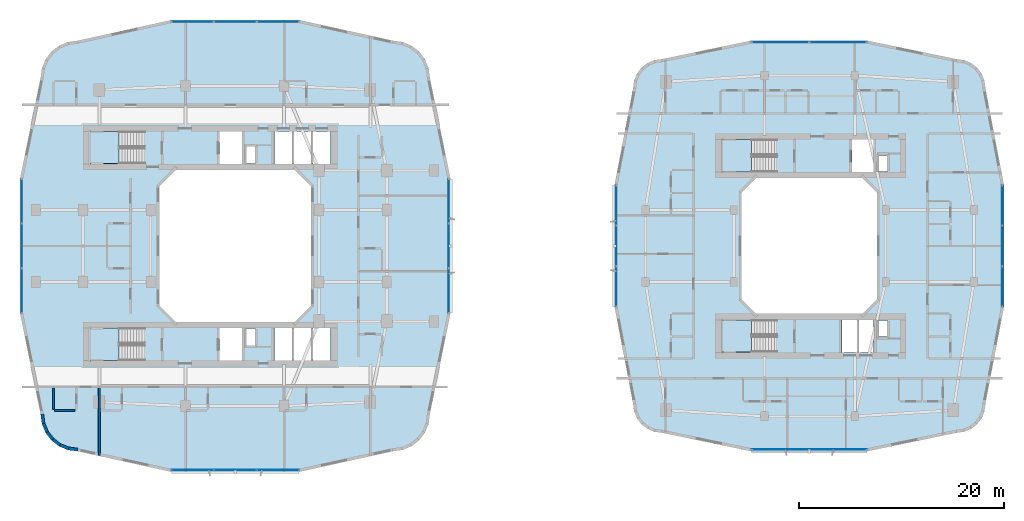
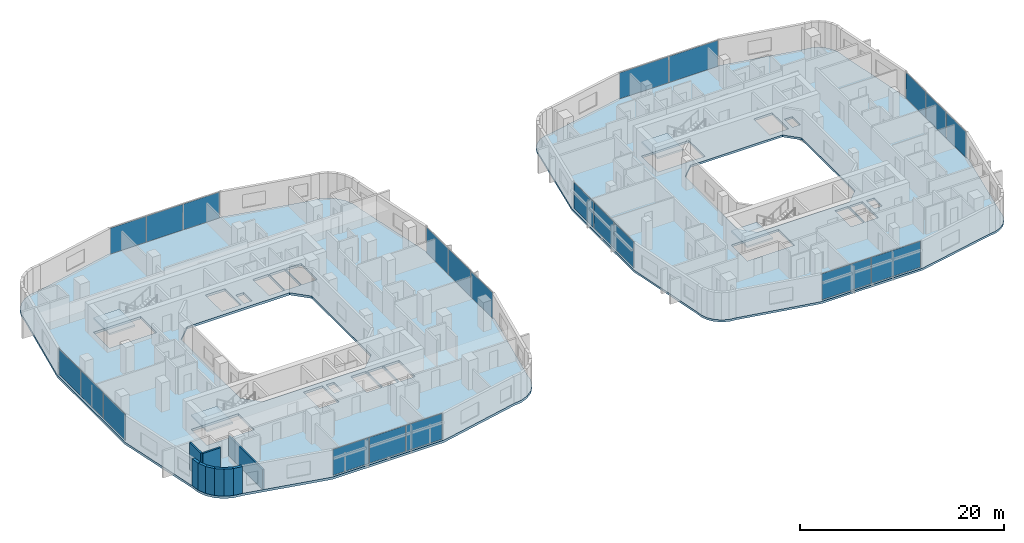
# One storey, part 12 of 27: 22 plates, 9 walls, 6 slabs, 12 elements without a shape of their own.
"""IFC4 building model written with IfcOpenShell, lengths in metres."""

import ifcopenshell
import ifcopenshell.guid

model = None  # the IFC model being written
_history = None  # IfcOwnerHistory: only IFC2X3 demands one
_inside = {}  # id of a spatial element -> (the spatial element, [elements in it])
_under = {}  # id of a project, library or spatial element -> (it, [spatial elements below it])
_declared = {}  # id of a project -> (the project, [libraries it declares])
_typed = {}  # id of a type object -> (the type object, [elements of that type])
_made_of = {}  # id of a material, layer set ... -> (it, [elements and type objects made of it])


def new_model(schema):
    """Start an empty IFC model of exactly this schema.

    Asked for "IFC4X3", IfcOpenShell would pick the latest addendum, in which some entities
    have other attributes; the version numbers below select the first issue.
    IFC2X3 requires an IfcOwnerHistory on every rooted entity: one is made here for all.
    """
    global model, _history
    if schema == "IFC4X3":
        model = ifcopenshell.file(schema_version=(4, 3, 0, 0))
    else:
        model = ifcopenshell.file(schema=schema)
    _inside.clear()
    _under.clear()
    _declared.clear()
    _typed.clear()
    _made_of.clear()
    _history = None
    if model.schema == "IFC2X3":
        org = make("IfcOrganization", Name="unknown")
        user = make(
            "IfcPersonAndOrganization",
            ThePerson=make("IfcPerson", FamilyName="unknown"),
            TheOrganization=org,
        )
        app = make(
            "IfcApplication",
            ApplicationDeveloper=org,
            Version="unknown",
            ApplicationFullName="unknown",
            ApplicationIdentifier="unknown",
        )
        _history = make(
            "IfcOwnerHistory",
            OwningUser=user,
            OwningApplication=app,
            ChangeAction="ADDED",
            CreationDate=0,
        )
    return model


def make(cls, **values):
    """One entity of the class cls with the attributes given. An attribute that is None is left unset."""
    return model.create_entity(
        cls, **{name: value for name, value in values.items() if value is not None}
    )


def rooted(cls, **values):
    """An entity with a GlobalId (a new one), such as an element, a storey or a relation."""
    return make(cls, GlobalId=ifcopenshell.guid.new(), OwnerHistory=_history, **values)


def si_unit(unit_type, name, prefix=None):
    """IfcSIUnit, for example si_unit("LENGTHUNIT", "METRE", prefix="MILLI")."""
    return make("IfcSIUnit", UnitType=unit_type, Prefix=prefix, Name=name)


def derived_unit(unit_type, elements):
    """IfcDerivedUnit: a product of units, each with its exponent."""
    return make(
        "IfcDerivedUnit",
        Elements=[
            make("IfcDerivedUnitElement", Unit=unit, Exponent=power)
            for unit, power in elements
        ],
        UnitType=unit_type,
    )


def assignment(units):
    """IfcUnitAssignment: the units of a project."""
    return None if units is None else make("IfcUnitAssignment", Units=units)


def point(xyz):
    """IfcCartesianPoint."""
    return None if xyz is None else make("IfcCartesianPoint", Coordinates=xyz)


def direction(xyz):
    """IfcDirection."""
    return None if xyz is None else make("IfcDirection", DirectionRatios=xyz)


def frame(location, z_axis=None, x_axis=None):
    """IfcAxis2Placement3D, a coordinate frame: its origin and axes. An axis left out is left unset."""
    return make(
        "IfcAxis2Placement3D",
        Location=point(location),
        Axis=direction(z_axis),
        RefDirection=direction(x_axis),
    )


def frame_2d(location, x_axis=None):
    """IfcAxis2Placement2D, a coordinate frame in the plane: its origin and x axis."""
    return make(
        "IfcAxis2Placement2D", Location=point(location), RefDirection=direction(x_axis)
    )


def origin():
    """The frame at (0, 0, 0) with its axes left unset."""
    return frame((0.0, 0.0, 0.0))


def origin_2d():
    """The frame at (0, 0) in the plane with its x axis left unset."""
    return frame_2d((0.0, 0.0))


def place(relative_to, where):
    """IfcLocalPlacement: puts the frame where relative to a parent placement (None: the world)."""
    return make(
        "IfcLocalPlacement", PlacementRelTo=relative_to, RelativePlacement=where
    )


def context(
    kind, dimensions, precision=None, world=None, true_north=None, identifier=None
):
    """IfcGeometricRepresentationContext, for example the 3D "Model" context."""
    return make(
        "IfcGeometricRepresentationContext",
        ContextIdentifier=identifier,
        ContextType=kind,
        CoordinateSpaceDimension=dimensions,
        Precision=precision,
        WorldCoordinateSystem=world,
        TrueNorth=true_north,
    )


def subcontext(parent, identifier, kind, view, scale=None):
    """IfcGeometricRepresentationSubContext, for example "Body" below "Model"."""
    return make(
        "IfcGeometricRepresentationSubContext",
        ContextIdentifier=identifier,
        ContextType=kind,
        ParentContext=parent,
        TargetScale=scale,
        TargetView=view,
    )


def project(units=None, contexts=None):
    """IfcProject with its units and contexts."""
    return rooted(
        "IfcProject",
        Name="project",
        RepresentationContexts=contexts,
        UnitsInContext=assignment(units),
    )


def spatial(cls, under=None, at=None, **own):
    """A site, building, storey or space (cls), placed at a placement, below another one or the project."""
    s = rooted(cls, ObjectPlacement=at, **own)
    if under is not None:
        _under.setdefault(under.id(), (under, []))[1].append(s)
    return s


def polyline(points):
    """IfcPolyline through the points."""
    return make("IfcPolyline", Points=[point(p) for p in points])


def profile(cls, at=None, kind="AREA", **sizes):
    """A parametric profile (cls). Its sizes go by their IFC names, for example OverallWidth=200.0."""
    return make(cls, ProfileType=kind, Position=at, **sizes)


def rectangle(**sizes):
    """IfcRectangleProfileDef."""
    return profile("IfcRectangleProfileDef", **sizes)


def outline(outer, holes=None, kind="AREA"):
    """IfcArbitraryClosedProfileDef: a profile drawn as a closed curve; with holes, ...WithVoids."""
    if holes is None:
        return make("IfcArbitraryClosedProfileDef", ProfileType=kind, OuterCurve=outer)
    return make(
        "IfcArbitraryProfileDefWithVoids",
        ProfileType=kind,
        OuterCurve=outer,
        InnerCurves=holes,
    )


def extrude(swept, where, along, depth):
    """IfcExtrudedAreaSolid: the profile swept, set in the frame where, extruded along a direction by depth."""
    return make(
        "IfcExtrudedAreaSolid",
        SweptArea=swept,
        Position=where,
        ExtrudedDirection=direction(along),
        Depth=depth,
    )


def shape(context_of_items, identifier, shape_type, items):
    """IfcShapeRepresentation: the items that make up one representation, for example the "Body"."""
    return make(
        "IfcShapeRepresentation",
        ContextOfItems=context_of_items,
        RepresentationIdentifier=identifier,
        RepresentationType=shape_type,
        Items=items,
    )


def material(Name=None, Category=None):
    """IfcMaterial."""
    return make("IfcMaterial", Name=Name, Category=Category)


def layer(
    of_material, thickness, ventilated=None, Name=None, Category=None, Priority=None
):
    """IfcMaterialLayer: one layer of a wall or slab, of a material (None: an air gap)."""
    return make(
        "IfcMaterialLayer",
        Material=of_material,
        LayerThickness=thickness,
        IsVentilated=ventilated,
        Name=Name,
        Category=Category,
        Priority=Priority,
    )


def layer_set(layers, Name=None):
    """IfcMaterialLayerSet."""
    return make("IfcMaterialLayerSet", MaterialLayers=layers, LayerSetName=Name)


def made_of(thing, what):
    """Note that an element or type object is made of a material, layer set ...; save() writes the relation."""
    if what is not None:
        _made_of.setdefault(what.id(), (what, []))[1].append(thing)
    return thing


def type_object(cls, material=None, **own):
    """A type object (cls), such as IfcWallType, which elements share."""
    return made_of(rooted(cls, **own), material)


def element(
    cls,
    number,
    at=None,
    inside=None,
    cuts=None,
    type_object=None,
    material=None,
    context=None,
    identifier="Body",
    shape_type=None,
    held_by="IfcProductDefinitionShape",
    body=None,
    shapes=None,
    **own,
):
    """One element of the class cls, such as IfcWall. Its Tag is "e" and its number.

    at: its placement. inside: the storey or other place that contains it. cuts: it is an
    opening in that element (IfcRelVoidsElement). A single representation is given by context,
    identifier, shape_type and body (its items); several are given by shapes. held_by: the class
    of the entity that holds the representations. save() writes the other relations.
    """
    e = rooted(cls, Tag="e%d" % number, ObjectPlacement=at, **own)
    if body is not None:
        shapes = [shape(context, identifier, shape_type, body)]
    if shapes is not None:
        e.Representation = make(held_by, Representations=shapes)
    if inside is not None:
        _inside.setdefault(inside.id(), (inside, []))[1].append(e)
    if cuts is not None:
        rooted(
            "IfcRelVoidsElement", RelatingBuildingElement=cuts, RelatedOpeningElement=e
        )
    if type_object is not None:
        _typed.setdefault(type_object.id(), (type_object, []))[1].append(e)
    return made_of(e, material)


def aggregate(whole, parts):
    """IfcRelAggregates: a whole, such as a stair, and the parts it consists of."""
    return rooted("IfcRelAggregates", RelatingObject=whole, RelatedObjects=parts)


def save(model, path):
    """Write the relations noted so far, then the file.

    IfcRelAggregates (storeys below a building ...), IfcRelContainedInSpatialStructure (elements
    in a storey), IfcRelDefinesByType, IfcRelAssociatesMaterial and IfcRelDeclares: one each for
    every whole, place, type object, material and project.
    """
    for whole, parts in _under.values():
        aggregate(whole, parts)
    for where, things in _inside.values():
        rooted(
            "IfcRelContainedInSpatialStructure",
            RelatedElements=things,
            RelatingStructure=where,
        )
    for kind, things in _typed.values():
        rooted("IfcRelDefinesByType", RelatedObjects=things, RelatingType=kind)
    for what, things in _made_of.values():
        rooted("IfcRelAssociatesMaterial", RelatedObjects=things, RelatingMaterial=what)
    for by, libraries in _declared.values():
        rooted("IfcRelDeclares", RelatingContext=by, RelatedDefinitions=libraries)
    model.write(path)


model = new_model("IFC4")

# Units and contexts
model_context = context("Model", 3, precision=1e-05, world=origin(), true_north=direction((0.0, 1.0)))
body_context = subcontext(model_context, "Body", "Model", "MODEL_VIEW")
ifc_project = project(units=[si_unit("LENGTHUNIT", "METRE"), si_unit("AREAUNIT", "SQUARE_METRE"), si_unit("VOLUMEUNIT", "CUBIC_METRE"), si_unit("PLANEANGLEUNIT", "RADIAN"), si_unit("MASSUNIT", "GRAM", prefix="KILO"), derived_unit("THERMALTRANSMITTANCEUNIT", [(si_unit("POWERUNIT", "WATT"), 1), (si_unit("LENGTHUNIT", "METRE"), -2), (si_unit("THERMODYNAMICTEMPERATUREUNIT", "KELVIN"), -1)])], contexts=[model_context])

# Site, building, storey
site_placement = place(None, origin())
site = spatial("IfcSite", under=ifc_project, at=site_placement, CompositionType="ELEMENT")
building_placement = place(site_placement, origin())
building = spatial("IfcBuilding", under=site, at=building_placement, Name="Kivonza Crest Hotel", CompositionType="ELEMENT")
storey_placement = place(building_placement, frame((0.0, 0.0, 34.5)))
storey = spatial("IfcBuildingStorey", under=building, at=storey_placement, Name="L08", CompositionType="ELEMENT", Elevation=34.5)

# Curtain wall, plates
ifc_material_1 = material(Name="Anodised bronze aluminium and low-E double glazing", Category="aluminium")
ifc_layer_1 = layer(ifc_material_1, 0.179931640625)
ifc_layer_set_1 = layer_set([ifc_layer_1], Name="Anodised bronze aluminium and low-E double glazing")
curtain_wall_type_1 = type_object("IfcCurtainWallType", Name="CW-SYS-2", PredefinedType="NOTDEFINED", material=ifc_layer_set_1)
curtain_wall_1_placement = place(storey_placement, origin())
curtain_wall_1 = element("IfcCurtainWall", 1, at=curtain_wall_1_placement, inside=storey, type_object=curtain_wall_type_1, Name="L08 unitised curtain wall CW-T1-L08-08", PredefinedType="NOTDEFINED")
ifc_material_2 = material(Name="Solar-control low-E double glazing", Category="glass")
ifc_layer_2 = layer(ifc_material_2, 0.028076171875)
ifc_layer_set_2 = layer_set([ifc_layer_2], Name="Solar-control low-E double glazing")
plate_type = type_object("IfcPlateType", Name="CW-PNL-28", PredefinedType="CURTAIN_PANEL", material=ifc_layer_set_2)
plate_1_placement = place(storey_placement, frame((16.890869140625, 3.159912109375, 0.06494140625), z_axis=(0.0, 0.0, 1.0), x_axis=(1.0, 0.0, 0.0)))
plate_1 = element("IfcPlate", 2, at=plate_1_placement, type_object=plate_type, Name="CW-2 panel 1.1", PredefinedType="CURTAIN_PANEL", context=body_context, shape_type="SweptSolid", body=[
    extrude(rectangle(XDim=4.06787109375, YDim=0.028076171875, at=origin_2d()), origin(), (0.0, 0.0, 1.0), 3.090087890625),
])
plate_2_placement = place(storey_placement, frame((21.0400390625, 3.159912109375, 0.06494140625), z_axis=(0.0, 0.0, 1.0), x_axis=(1.0, 0.0, 0.0)))
plate_2 = element("IfcPlate", 3, at=plate_2_placement, type_object=plate_type, Name="CW-2 panel 2.1", PredefinedType="CURTAIN_PANEL", context=body_context, shape_type="SweptSolid", body=[
    extrude(rectangle(XDim=4.100341796875, YDim=0.028076171875, at=origin_2d()), origin(), (0.0, 0.0, 1.0), 3.090087890625),
])
plate_3_placement = place(storey_placement, frame((25.18896484375, 3.159912109375, 0.06494140625), z_axis=(0.0, 0.0, 1.0), x_axis=(1.0, 0.0, 0.0)))
plate_3 = element("IfcPlate", 4, at=plate_3_placement, type_object=plate_type, Name="CW-2 panel 3.1", PredefinedType="CURTAIN_PANEL", context=body_context, shape_type="SweptSolid", body=[
    extrude(rectangle(XDim=4.06787109375, YDim=0.028076171875, at=origin_2d()), origin(), (0.0, 0.0, 1.0), 3.090087890625),
])
aggregate(curtain_wall_1, [plate_1, plate_2, plate_3])

curtain_wall_2_placement = place(storey_placement, origin())
curtain_wall_2 = element("IfcCurtainWall", 5, at=curtain_wall_2_placement, inside=storey, type_object=curtain_wall_type_1, Name="L08 unitised curtain wall CW-T1-L08-17", PredefinedType="NOTDEFINED")
plate_4_placement = place(storey_placement, frame((41.840087890625, 20.642822265625, 0.06494140625), z_axis=(0.0, 0.0, 1.0), x_axis=(0.0, 1.0, 0.0)))
plate_4 = element("IfcPlate", 6, at=plate_4_placement, type_object=plate_type, Name="CW-2 panel 1.1", PredefinedType="CURTAIN_PANEL", context=body_context, shape_type="SweptSolid", body=[
    extrude(rectangle(XDim=4.27587890625, YDim=0.028076171875, at=origin_2d()), origin(), (0.0, 0.0, 1.0), 3.090087890625),
])
plate_5_placement = place(storey_placement, frame((41.840087890625, 25.0, 0.06494140625), z_axis=(0.0, 0.0, 1.0), x_axis=(0.0, 1.0, 0.0)))
plate_5 = element("IfcPlate", 7, at=plate_5_placement, type_object=plate_type, Name="CW-2 panel 2.1", PredefinedType="CURTAIN_PANEL", context=body_context, shape_type="SweptSolid", body=[
    extrude(rectangle(XDim=4.308349609375, YDim=0.028076171875, at=origin_2d()), origin(), (0.0, 0.0, 1.0), 3.090087890625),
])
plate_6_placement = place(storey_placement, frame((41.840087890625, 29.357177734375, 0.06494140625), z_axis=(0.0, 0.0, 1.0), x_axis=(0.0, 1.0, 0.0)))
plate_6 = element("IfcPlate", 8, at=plate_6_placement, type_object=plate_type, Name="CW-2 panel 3.1", PredefinedType="CURTAIN_PANEL", context=body_context, shape_type="SweptSolid", body=[
    extrude(rectangle(XDim=4.27587890625, YDim=0.028076171875, at=origin_2d()), origin(), (0.0, 0.0, 1.0), 3.090087890625),
])
aggregate(curtain_wall_2, [plate_4, plate_5, plate_6])

curtain_wall_3_placement = place(storey_placement, origin())
curtain_wall_3 = element("IfcCurtainWall", 9, at=curtain_wall_3_placement, inside=storey, type_object=curtain_wall_type_1, Name="L08 unitised curtain wall CW-T1-L08-26", PredefinedType="NOTDEFINED")
plate_7_placement = place(storey_placement, frame((25.18896484375, 46.840087890625, 0.06494140625), z_axis=(0.0, 0.0, 1.0), x_axis=(-1.0, 0.0, 0.0)))
plate_7 = element("IfcPlate", 10, at=plate_7_placement, type_object=plate_type, Name="CW-2 panel 1.1", PredefinedType="CURTAIN_PANEL", context=body_context, shape_type="SweptSolid", body=[
    extrude(rectangle(XDim=4.06787109375, YDim=0.028076171875, at=origin_2d()), origin(), (0.0, 0.0, 1.0), 3.090087890625),
])
plate_8_placement = place(storey_placement, frame((21.0400390625, 46.840087890625, 0.06494140625), z_axis=(0.0, 0.0, 1.0), x_axis=(-1.0, 0.0, 0.0)))
plate_8 = element("IfcPlate", 11, at=plate_8_placement, type_object=plate_type, Name="CW-2 panel 2.1", PredefinedType="CURTAIN_PANEL", context=body_context, shape_type="SweptSolid", body=[
    extrude(rectangle(XDim=4.100341796875, YDim=0.028076171875, at=origin_2d()), origin(), (0.0, 0.0, 1.0), 3.090087890625),
])
plate_9_placement = place(storey_placement, frame((16.890869140625, 46.840087890625, 0.06494140625), z_axis=(0.0, 0.0, 1.0), x_axis=(-1.0, 0.0, 0.0)))
plate_9 = element("IfcPlate", 12, at=plate_9_placement, type_object=plate_type, Name="CW-2 panel 3.1", PredefinedType="CURTAIN_PANEL", context=body_context, shape_type="SweptSolid", body=[
    extrude(rectangle(XDim=4.06787109375, YDim=0.028076171875, at=origin_2d()), origin(), (0.0, 0.0, 1.0), 3.090087890625),
])
aggregate(curtain_wall_3, [plate_7, plate_8, plate_9])

curtain_wall_4_placement = place(storey_placement, origin())
curtain_wall_4 = element("IfcCurtainWall", 13, at=curtain_wall_4_placement, inside=storey, type_object=curtain_wall_type_1, Name="L08 unitised curtain wall CW-T1-L08-35", PredefinedType="NOTDEFINED")
plate_10_placement = place(storey_placement, frame((0.239990234375, 29.357177734375, 0.06494140625), z_axis=(0.0, 0.0, 1.0), x_axis=(0.0, -1.0, 0.0)))
plate_10 = element("IfcPlate", 14, at=plate_10_placement, type_object=plate_type, Name="CW-2 panel 1.1", PredefinedType="CURTAIN_PANEL", context=body_context, shape_type="SweptSolid", body=[
    extrude(rectangle(XDim=4.27587890625, YDim=0.028076171875, at=origin_2d()), origin(), (0.0, 0.0, 1.0), 3.090087890625),
])
plate_11_placement = place(storey_placement, frame((0.239990234375, 25.0, 0.06494140625), z_axis=(0.0, 0.0, 1.0), x_axis=(0.0, -1.0, 0.0)))
plate_11 = element("IfcPlate", 15, at=plate_11_placement, type_object=plate_type, Name="CW-2 panel 2.1", PredefinedType="CURTAIN_PANEL", context=body_context, shape_type="SweptSolid", body=[
    extrude(rectangle(XDim=4.308349609375, YDim=0.028076171875, at=origin_2d()), origin(), (0.0, 0.0, 1.0), 3.090087890625),
])
plate_12_placement = place(storey_placement, frame((0.239990234375, 20.642822265625, 0.06494140625), z_axis=(0.0, 0.0, 1.0), x_axis=(0.0, -1.0, 0.0)))
plate_12 = element("IfcPlate", 16, at=plate_12_placement, type_object=plate_type, Name="CW-2 panel 3.1", PredefinedType="CURTAIN_PANEL", context=body_context, shape_type="SweptSolid", body=[
    extrude(rectangle(XDim=4.27587890625, YDim=0.028076171875, at=origin_2d()), origin(), (0.0, 0.0, 1.0), 3.090087890625),
])
aggregate(curtain_wall_4, [plate_10, plate_11, plate_12])

ifc_layer_3 = layer(ifc_material_1, 0.179931640625)
ifc_layer_set_3 = layer_set([ifc_layer_3], Name="Anodised bronze aluminium and low-E double glazing")
curtain_wall_type_2 = type_object("IfcCurtainWallType", Name="CW-SYS-4", PredefinedType="NOTDEFINED", material=ifc_layer_set_3)
curtain_wall_5_placement = place(storey_placement, origin())
curtain_wall_5 = element("IfcCurtainWall", 17, at=curtain_wall_5_placement, inside=storey, type_object=curtain_wall_type_2, Name="L08 unitised curtain wall CW-T2-L08-08", PredefinedType="NOTDEFINED")
plate_13_placement = place(storey_placement, frame((74.15234375, 5.159912109375, 0.06494140625), z_axis=(0.0, 0.0, 1.0), x_axis=(1.0, 0.0, 0.0)))
plate_13 = element("IfcPlate", 18, at=plate_13_placement, type_object=plate_type, Name="CW-4 panel 1.1", PredefinedType="CURTAIN_PANEL", context=body_context, shape_type="SweptSolid", body=[
    extrude(rectangle(XDim=5.550537109375, YDim=0.028076171875, at=origin_2d()), origin(), (0.0, 0.0, 1.0), 3.1201171875),
])
plate_14_placement = place(storey_placement, frame((79.767822265625, 5.159912109375, 0.06494140625), z_axis=(0.0, 0.0, 1.0), x_axis=(1.0, 0.0, 0.0)))
plate_14 = element("IfcPlate", 19, at=plate_14_placement, type_object=plate_type, Name="CW-4 panel 2.1", PredefinedType="CURTAIN_PANEL", context=body_context, shape_type="SweptSolid", body=[
    extrude(rectangle(XDim=5.550537109375, YDim=0.028076171875, at=origin_2d()), origin(), (0.0, 0.0, 1.0), 3.1201171875),
])
aggregate(curtain_wall_5, [plate_13, plate_14])

curtain_wall_6_placement = place(storey_placement, origin())
curtain_wall_6 = element("IfcCurtainWall", 20, at=curtain_wall_6_placement, inside=storey, type_object=curtain_wall_type_2, Name="L08 unitised curtain wall CW-T2-L08-17", PredefinedType="NOTDEFINED")
plate_15_placement = place(storey_placement, frame((95.760009765625, 21.04296875, 0.06494140625), z_axis=(0.0, 0.0, 1.0), x_axis=(0.0, 1.0, 0.0)))
plate_15 = element("IfcPlate", 21, at=plate_15_placement, type_object=plate_type, Name="CW-4 panel 1.1", PredefinedType="CURTAIN_PANEL", context=body_context, shape_type="SweptSolid", body=[
    extrude(rectangle(XDim=3.875732421875, YDim=0.028076171875, at=origin_2d()), origin(), (0.0, 0.0, 1.0), 3.1201171875),
])
plate_16_placement = place(storey_placement, frame((95.760009765625, 25.0, 0.06494140625), z_axis=(0.0, 0.0, 1.0), x_axis=(0.0, 1.0, 0.0)))
plate_16 = element("IfcPlate", 22, at=plate_16_placement, type_object=plate_type, Name="CW-4 panel 2.1", PredefinedType="CURTAIN_PANEL", context=body_context, shape_type="SweptSolid", body=[
    extrude(rectangle(XDim=3.908447265625, YDim=0.028076171875, at=origin_2d()), origin(), (0.0, 0.0, 1.0), 3.1201171875),
])
plate_17_placement = place(storey_placement, frame((95.760009765625, 28.95703125, 0.06494140625), z_axis=(0.0, 0.0, 1.0), x_axis=(0.0, 1.0, 0.0)))
plate_17 = element("IfcPlate", 23, at=plate_17_placement, type_object=plate_type, Name="CW-4 panel 3.1", PredefinedType="CURTAIN_PANEL", context=body_context, shape_type="SweptSolid", body=[
    extrude(rectangle(XDim=3.875732421875, YDim=0.028076171875, at=origin_2d()), origin(), (0.0, 0.0, 1.0), 3.1201171875),
])
aggregate(curtain_wall_6, [plate_15, plate_16, plate_17])

curtain_wall_7_placement = place(storey_placement, origin())
curtain_wall_7 = element("IfcCurtainWall", 24, at=curtain_wall_7_placement, inside=storey, type_object=curtain_wall_type_2, Name="L08 unitised curtain wall CW-T2-L08-26", PredefinedType="NOTDEFINED")
plate_18_placement = place(storey_placement, frame((79.767822265625, 44.840087890625, 0.06494140625), z_axis=(0.0, 0.0, 1.0), x_axis=(-1.0, 0.0, 0.0)))
plate_18 = element("IfcPlate", 25, at=plate_18_placement, type_object=plate_type, Name="CW-4 panel 1.1", PredefinedType="CURTAIN_PANEL", context=body_context, shape_type="SweptSolid", body=[
    extrude(rectangle(XDim=5.550537109375, YDim=0.028076171875, at=origin_2d()), origin(), (0.0, 0.0, 1.0), 3.1201171875),
])
plate_19_placement = place(storey_placement, frame((74.15234375, 44.840087890625, 0.06494140625), z_axis=(0.0, 0.0, 1.0), x_axis=(-1.0, 0.0, 0.0)))
plate_19 = element("IfcPlate", 26, at=plate_19_placement, type_object=plate_type, Name="CW-4 panel 2.1", PredefinedType="CURTAIN_PANEL", context=body_context, shape_type="SweptSolid", body=[
    extrude(rectangle(XDim=5.550537109375, YDim=0.028076171875, at=origin_2d()), origin(), (0.0, 0.0, 1.0), 3.1201171875),
])
aggregate(curtain_wall_7, [plate_18, plate_19])

curtain_wall_8_placement = place(storey_placement, origin())
curtain_wall_8 = element("IfcCurtainWall", 27, at=curtain_wall_8_placement, inside=storey, type_object=curtain_wall_type_2, Name="L08 unitised curtain wall CW-T2-L08-35", PredefinedType="NOTDEFINED")
plate_20_placement = place(storey_placement, frame((58.159912109375, 28.95703125, 0.06494140625), z_axis=(0.0, 0.0, 1.0), x_axis=(0.0, -1.0, 0.0)))
plate_20 = element("IfcPlate", 28, at=plate_20_placement, type_object=plate_type, Name="CW-4 panel 1.1", PredefinedType="CURTAIN_PANEL", context=body_context, shape_type="SweptSolid", body=[
    extrude(rectangle(XDim=3.875732421875, YDim=0.028076171875, at=origin_2d()), origin(), (0.0, 0.0, 1.0), 3.1201171875),
])
plate_21_placement = place(storey_placement, frame((58.159912109375, 25.0, 0.06494140625), z_axis=(0.0, 0.0, 1.0), x_axis=(0.0, -1.0, 0.0)))
plate_21 = element("IfcPlate", 29, at=plate_21_placement, type_object=plate_type, Name="CW-4 panel 2.1", PredefinedType="CURTAIN_PANEL", context=body_context, shape_type="SweptSolid", body=[
    extrude(rectangle(XDim=3.908447265625, YDim=0.028076171875, at=origin_2d()), origin(), (0.0, 0.0, 1.0), 3.1201171875),
])
plate_22_placement = place(storey_placement, frame((58.159912109375, 21.04296875, 0.06494140625), z_axis=(0.0, 0.0, 1.0), x_axis=(0.0, -1.0, 0.0)))
plate_22 = element("IfcPlate", 30, at=plate_22_placement, type_object=plate_type, Name="CW-4 panel 3.1", PredefinedType="CURTAIN_PANEL", context=body_context, shape_type="SweptSolid", body=[
    extrude(rectangle(XDim=3.875732421875, YDim=0.028076171875, at=origin_2d()), origin(), (0.0, 0.0, 1.0), 3.1201171875),
])
aggregate(curtain_wall_8, [plate_20, plate_21, plate_22])

# Slab
ifc_material_3 = material(Name="Concrete C40/50", Category="concrete")
ifc_layer_4 = layer(ifc_material_3, 0.280029296875)
ifc_layer_set_4 = layer_set([ifc_layer_4], Name="Concrete C40/50")
slab_type_1 = type_object("IfcSlabType", Name="SL-HTL-280", PredefinedType="FLOOR", material=ifc_layer_set_4)
slab_1_placement = place(storey_placement, frame((0.0, 0.0, -0.280029296875)))
element("IfcSlab", 31, at=slab_1_placement, inside=storey, type_object=slab_type_1, Name="Tower T1 L08 floor slab", PredefinedType="FLOOR", context=body_context, shape_type="SweptSolid", body=[
    extrude(outline(polyline([(2.080078125, 8.60009765625), (2.202880859375, 7.66796875), (2.56201171875, 6.800048828125), (3.134033203125, 6.053955078125), (3.8798828125, 5.48193359375), (4.748046875, 5.123046875), (5.679931640625, 5.0), (14.751953125, 3.0), (27.327880859375, 3.0), (36.39990234375, 5.0), (37.33203125, 5.123046875), (38.199951171875, 5.48193359375), (38.946044921875, 6.053955078125), (39.51806640625, 6.800048828125), (39.876953125, 7.66796875), (40.0, 8.60009765625), (42.0, 18.39990234375), (42.0, 31.60009765625), (40.0, 41.39990234375), (39.876953125, 42.33203125), (39.51806640625, 43.199951171875), (38.946044921875, 43.946044921875), (38.199951171875, 44.51806640625), (37.33203125, 44.876953125), (36.39990234375, 45.0), (27.327880859375, 47.0), (14.751953125, 47.0), (5.679931640625, 45.0), (4.748046875, 44.876953125), (3.8798828125, 44.51806640625), (3.134033203125, 43.946044921875), (2.56201171875, 43.199951171875), (2.202880859375, 42.33203125), (2.080078125, 41.39990234375), (0.080078125, 31.60009765625), (0.080078125, 18.39990234375), (2.080078125, 8.60009765625)]), holes=[polyline([(15.239990234375, 17.60009765625), (26.840087890625, 17.60009765625), (28.43994140625, 19.199951171875), (28.43994140625, 30.800048828125), (26.840087890625, 32.39990234375), (15.239990234375, 32.39990234375), (13.639892578125, 30.800048828125), (13.639892578125, 19.199951171875), (15.239990234375, 17.60009765625)]), polyline([(6.800048828125, 33.02001953125), (12.159912109375, 33.02001953125), (12.159912109375, 36.159912109375), (6.800048828125, 36.159912109375), (6.800048828125, 33.02001953125)]), polyline([(6.800048828125, 13.860107421875), (12.159912109375, 13.860107421875), (12.159912109375, 17.0), (6.800048828125, 17.0), (6.800048828125, 13.860107421875)]), polyline([(22.080078125, 33.0400390625), (22.969970703125, 33.0400390625), (22.969970703125, 34.679931640625), (22.080078125, 34.679931640625), (22.080078125, 33.0400390625)]), polyline([(22.080078125, 15.320068359375), (22.969970703125, 15.320068359375), (22.969970703125, 16.9599609375), (22.080078125, 16.9599609375), (22.080078125, 15.320068359375)]), polyline([(19.5, 33.0), (21.699951171875, 33.0), (21.699951171875, 36.159912109375), (19.5, 36.159912109375), (19.5, 33.0)]), polyline([(24.860107421875, 33.0), (26.60693359375, 33.0), (26.60693359375, 36.159912109375), (24.860107421875, 36.159912109375), (24.860107421875, 33.0)]), polyline([(26.72705078125, 33.0), (28.472900390625, 33.0), (28.472900390625, 36.159912109375), (26.72705078125, 36.159912109375), (26.72705078125, 33.0)]), polyline([(28.593017578125, 33.0), (30.340087890625, 33.0), (30.340087890625, 36.159912109375), (28.593017578125, 36.159912109375), (28.593017578125, 33.0)]), polyline([(19.5, 13.840087890625), (21.699951171875, 13.840087890625), (21.699951171875, 17.0), (19.5, 17.0), (19.5, 13.840087890625)]), polyline([(24.860107421875, 13.840087890625), (26.60693359375, 13.840087890625), (26.60693359375, 17.0), (24.860107421875, 17.0), (24.860107421875, 13.840087890625)]), polyline([(26.72705078125, 13.840087890625), (28.472900390625, 13.840087890625), (28.472900390625, 17.0), (26.72705078125, 17.0), (26.72705078125, 13.840087890625)]), polyline([(28.593017578125, 13.840087890625), (30.340087890625, 13.840087890625), (30.340087890625, 17.0), (28.593017578125, 17.0), (28.593017578125, 13.840087890625)])]), origin(), (0.0, 0.0, 1.0), 0.280029296875),
])

# Stair, slab
stair_type = type_object("IfcStairType", Name="ST-DL-20R", PredefinedType="HALF_TURN_STAIR", material=ifc_material_3)
stair_1_placement = place(storey_placement, origin())
stair_1 = element("IfcStair", 32, at=stair_1_placement, inside=storey, type_object=stair_type, Name="L08 Protected Exit Stair ST-T1-N", PredefinedType="HALF_TURN_STAIR")
ifc_layer_5 = layer(ifc_material_3, 0.199951171875)
ifc_layer_set_5 = layer_set([ifc_layer_5], Name="Concrete C40/50")
slab_type_2 = type_object("IfcSlabType", Name="SL-LAND-200", PredefinedType="LANDING", material=ifc_layer_set_5)
slab_2_placement = place(storey_placement, frame((0.0, 0.0, 1.550048828125)))
slab_2 = element("IfcSlab", 33, at=slab_2_placement, type_object=slab_type_2, Name="ST-T1-N landing 1", PredefinedType="LANDING", context=body_context, shape_type="SweptSolid", body=[
    extrude(outline(polyline([(9.719970703125, 36.159912109375), (6.800048828125, 36.159912109375), (6.800048828125, 33.02001953125), (9.719970703125, 33.02001953125), (9.719970703125, 36.159912109375)])), origin(), (0.0, 0.0, 1.0), 0.199951171875),
])
aggregate(stair_1, [slab_2])

stair_2_placement = place(storey_placement, origin())
stair_2 = element("IfcStair", 34, at=stair_2_placement, inside=storey, type_object=stair_type, Name="L08 Protected Exit Stair ST-T1-S", PredefinedType="HALF_TURN_STAIR")
slab_3_placement = place(storey_placement, frame((0.0, 0.0, 1.550048828125)))
slab_3 = element("IfcSlab", 35, at=slab_3_placement, type_object=slab_type_2, Name="ST-T1-S landing 1", PredefinedType="LANDING", context=body_context, shape_type="SweptSolid", body=[
    extrude(outline(polyline([(9.719970703125, 17.0), (6.800048828125, 17.0), (6.800048828125, 13.860107421875), (9.719970703125, 13.860107421875), (9.719970703125, 17.0)])), origin(), (0.0, 0.0, 1.0), 0.199951171875),
])
aggregate(stair_2, [slab_3])

stair_3_placement = place(storey_placement, origin())
stair_3 = element("IfcStair", 36, at=stair_3_placement, inside=storey, type_object=stair_type, Name="L08 Protected Exit Stair ST-T2-N", PredefinedType="HALF_TURN_STAIR")
slab_4_placement = place(storey_placement, frame((0.0, 0.0, 1.550048828125)))
slab_4 = element("IfcSlab", 37, at=slab_4_placement, type_object=slab_type_2, Name="ST-T2-N landing 1", PredefinedType="LANDING", context=body_context, shape_type="SweptSolid", body=[
    extrude(outline(polyline([(71.320068359375, 35.360107421875), (68.39990234375, 35.360107421875), (68.39990234375, 32.219970703125), (71.320068359375, 32.219970703125), (71.320068359375, 35.360107421875)])), origin(), (0.0, 0.0, 1.0), 0.199951171875),
])
aggregate(stair_3, [slab_4])

stair_4_placement = place(storey_placement, origin())
stair_4 = element("IfcStair", 38, at=stair_4_placement, inside=storey, type_object=stair_type, Name="L08 Protected Exit Stair ST-T2-S", PredefinedType="HALF_TURN_STAIR")
slab_5_placement = place(storey_placement, frame((0.0, 0.0, 1.550048828125)))
slab_5 = element("IfcSlab", 39, at=slab_5_placement, type_object=slab_type_2, Name="ST-T2-S landing 1", PredefinedType="LANDING", context=body_context, shape_type="SweptSolid", body=[
    extrude(outline(polyline([(71.320068359375, 17.800048828125), (68.39990234375, 17.800048828125), (68.39990234375, 14.659912109375), (71.320068359375, 14.659912109375), (71.320068359375, 17.800048828125)])), origin(), (0.0, 0.0, 1.0), 0.199951171875),
])
aggregate(stair_4, [slab_5])

# Slab
ifc_layer_6 = layer(ifc_material_3, 0.25)
ifc_layer_set_6 = layer_set([ifc_layer_6], Name="Concrete C40/50")
slab_type_3 = type_object("IfcSlabType", Name="SL-RES-250", PredefinedType="FLOOR", material=ifc_layer_set_6)
slab_6_placement = place(storey_placement, frame((0.0, 0.0, -0.25)))
element("IfcSlab", 40, at=slab_6_placement, inside=storey, type_object=slab_type_3, Name="Companion Tower T2 L08 floor slab", PredefinedType="FLOOR", context=body_context, shape_type="SweptSolid", body=[
    extrude(outline(polyline([(59.800048828125, 9.60009765625), (59.89501953125, 8.875), (60.175048828125, 8.199951171875), (60.6201171875, 7.6201171875), (61.199951171875, 7.175048828125), (61.875, 6.89501953125), (62.60009765625, 6.800048828125), (71.27197265625, 5.0), (82.64794921875, 5.0), (91.320068359375, 6.800048828125), (92.044921875, 6.89501953125), (92.719970703125, 7.175048828125), (93.300048828125, 7.6201171875), (93.7451171875, 8.199951171875), (94.02490234375, 8.875), (94.1201171875, 9.60009765625), (95.919921875, 19.0), (95.919921875, 31.0), (94.1201171875, 40.39990234375), (94.02490234375, 41.125), (93.7451171875, 41.800048828125), (93.300048828125, 42.3798828125), (92.719970703125, 42.824951171875), (92.044921875, 43.10498046875), (91.320068359375, 43.199951171875), (82.64794921875, 45.0), (71.27197265625, 45.0), (62.60009765625, 43.199951171875), (61.875, 43.10498046875), (61.199951171875, 42.824951171875), (60.6201171875, 42.3798828125), (60.175048828125, 41.800048828125), (59.89501953125, 41.125), (59.800048828125, 40.39990234375), (58.0, 31.0), (58.0, 19.0), (59.800048828125, 9.60009765625)]), holes=[polyline([(71.760009765625, 18.39990234375), (82.159912109375, 18.39990234375), (83.56005859375, 19.800048828125), (83.56005859375, 30.199951171875), (82.159912109375, 31.60009765625), (71.760009765625, 31.60009765625), (70.360107421875, 30.199951171875), (70.360107421875, 19.800048828125), (71.760009765625, 18.39990234375)]), polyline([(68.39990234375, 32.219970703125), (73.760009765625, 32.219970703125), (73.760009765625, 35.360107421875), (68.39990234375, 35.360107421875), (68.39990234375, 32.219970703125)]), polyline([(68.39990234375, 14.659912109375), (73.760009765625, 14.659912109375), (73.760009765625, 17.800048828125), (68.39990234375, 17.800048828125), (68.39990234375, 14.659912109375)]), polyline([(83.679931640625, 32.239990234375), (84.570068359375, 32.239990234375), (84.570068359375, 33.820068359375), (83.679931640625, 33.820068359375), (83.679931640625, 32.239990234375)]), polyline([(83.679931640625, 16.179931640625), (84.570068359375, 16.179931640625), (84.570068359375, 17.760009765625), (83.679931640625, 17.760009765625), (83.679931640625, 16.179931640625)]), polyline([(81.10009765625, 32.199951171875), (83.199951171875, 32.199951171875), (83.199951171875, 35.360107421875), (81.10009765625, 35.360107421875), (81.10009765625, 32.199951171875)]), polyline([(80.159912109375, 14.639892578125), (81.639892578125, 14.639892578125), (81.639892578125, 17.800048828125), (80.159912109375, 17.800048828125), (80.159912109375, 14.639892578125)]), polyline([(81.760009765625, 14.639892578125), (83.239990234375, 14.639892578125), (83.239990234375, 17.800048828125), (81.760009765625, 17.800048828125), (81.760009765625, 14.639892578125)])]), origin(), (0.0, 0.0, 1.0), 0.25),
])

# Walls
ifc_material_4 = material(Name="High-density acoustic masonry inter-tenancy wall", Category="masonry")
ifc_layer_7 = layer(ifc_material_4, 0.179931640625)
ifc_layer_set_7 = layer_set([ifc_layer_7], Name="High-density acoustic masonry inter-tenancy wall")
wall_type_1 = type_object("IfcWallType", Name="WL-ACOU-180", PredefinedType="SOLIDWALL", material=ifc_layer_set_7)
wall_1_placement = place(storey_placement, frame((7.800048828125, 4.593994140625, 0.0), z_axis=(0.0, 0.0, 1.0), x_axis=(0.0, 1.0, 0.0)))
element("IfcWall", 41, at=wall_1_placement, inside=storey, type_object=wall_type_1, Name="L08 interior partition WA-L08-T1S-DIV1", PredefinedType="SOLIDWALL", context=body_context, shape_type="SweptSolid", body=[
    extrude(rectangle(XDim=6.656005859375, YDim=0.179931640625, at=frame_2d((3.328125, 0.0))), origin(), (0.0, 0.0, 1.0), 2.39501953125),
])
ifc_material_5 = material(Name="Precast concrete C40/50", Category="concrete")
ifc_layer_8 = layer(ifc_material_5, 0.300048828125)
ifc_layer_set_8 = layer_set([ifc_layer_8], Name="Precast concrete C40/50")
wall_type_2 = type_object("IfcWallType", Name="WL-EXT-300", PredefinedType="STANDARD", material=ifc_layer_set_8)
wall_2_placement = place(storey_placement, frame((2.22802734375, 8.6279296875, 0.0), z_axis=(0.0, 0.0, 1.0), x_axis=(0.131174864804, -0.991359246108, 0.0)))
element("IfcWall", 42, at=wall_2_placement, inside=storey, type_object=wall_type_2, Name="L08 T1 exterior insulated wall 1", PredefinedType="STANDARD", context=body_context, shape_type="SweptSolid", body=[
    extrude(rectangle(XDim=0.93798828125, YDim=0.300048828125, at=frame_2d((0.468994140625, 0.0))), origin(), (0.0, 0.0, 1.0), 3.219970703125),
])
wall_3_placement = place(storey_placement, frame((2.33203125, 7.748046875, 0.0), z_axis=(0.0, 0.0, 1.0), x_axis=(0.382344263057, -0.924019948111, 0.0)))
element("IfcWall", 43, at=wall_3_placement, inside=storey, type_object=wall_type_2, Name="L08 T1 exterior insulated wall 2", PredefinedType="STANDARD", context=body_context, shape_type="SweptSolid", body=[
    extrude(rectangle(XDim=0.95458984375, YDim=0.300048828125, at=frame_2d((0.477294921875, 0.0))), origin(), (0.0, 0.0, 1.0), 3.219970703125),
])
for number, where, z_axis, x_axis, name in (
    (44, (2.666015625, 6.910888671875, 0.0), (0.0, 0.0, 1.0), (0.608474481025, -0.793573440799, 0.0), "L08 T1 exterior insulated wall 3"),
    (45, (3.205078125, 6.18798828125, 0.0), (0.0, 0.0, 1.0), (0.793573440799, -0.608474481025, 0.0), "L08 T1 exterior insulated wall 4"),
):
    element("IfcWall", number, at=place(storey_placement, frame(where, z_axis=z_axis, x_axis=x_axis)), inside=storey, type_object=wall_type_2, Name=name, PredefinedType="STANDARD", context=body_context, shape_type="SweptSolid", body=[
        extrude(rectangle(XDim=0.954833984375, YDim=0.300048828125, at=frame_2d((0.4775390625, 0.0))), origin(), (0.0, 0.0, 1.0), 3.219970703125),
    ])
wall_4_placement = place(storey_placement, frame((3.9140625, 5.631103515625, 0.0), z_axis=(0.0, 0.0, 1.0), x_axis=(0.923982547689, -0.382434636986, 0.0)))
element("IfcWall", 46, at=wall_4_placement, inside=storey, type_object=wall_type_2, Name="L08 T1 exterior insulated wall 5", PredefinedType="STANDARD", context=body_context, shape_type="SweptSolid", body=[
    extrude(rectangle(XDim=0.954345703125, YDim=0.300048828125, at=frame_2d((0.47705078125, 0.0))), origin(), (0.0, 0.0, 1.0), 3.219970703125),
])
wall_5_placement = place(storey_placement, frame((4.742919921875, 5.27490234375, 0.0), z_axis=(0.0, 0.0, 1.0), x_axis=(0.99145856342, -0.130422072598, 0.0)))
element("IfcWall", 47, at=wall_5_placement, inside=storey, type_object=wall_type_2, Name="L08 T1 exterior insulated wall 6", PredefinedType="STANDARD", context=body_context, shape_type="SweptSolid", body=[
    extrude(rectangle(XDim=0.973388671875, YDim=0.300048828125, at=frame_2d((0.48681640625, 0.0))), origin(), (0.0, 0.0, 1.0), 3.219970703125),
])
ifc_material_6 = material(Name="Moisture-resistant plumbing chase partition wall", Category="gypsum")
ifc_layer_9 = layer(ifc_material_6, 0.199951171875)
ifc_layer_set_9 = layer_set([ifc_layer_9], Name="Moisture-resistant plumbing chase partition wall")
wall_type_3 = type_object("IfcWallType", Name="WL-PLUMB-200", PredefinedType="PLUMBINGWALL", material=ifc_layer_set_9)
wall_6_placement = place(storey_placement, frame((3.449951171875, 8.949951171875, 0.0), z_axis=(0.0, 0.0, 1.0), x_axis=(1.0, 0.0, 0.0)))
element("IfcWall", 48, at=wall_6_placement, inside=storey, type_object=wall_type_3, Name="L08 interior partition WW-L08-S04-BH", PredefinedType="PLUMBINGWALL", context=body_context, shape_type="SweptSolid", body=[
    extrude(rectangle(XDim=2.0, YDim=0.199951171875, at=frame_2d((1.0, 0.0))), origin(), (0.0, 0.0, 1.0), 3.219970703125),
])
wall_7_placement = place(storey_placement, frame((3.35009765625, 9.050048828125, 0.0), z_axis=(0.0, 0.0, 1.0), x_axis=(0.0, 1.0, 0.0)))
element("IfcWall", 49, at=wall_7_placement, inside=storey, type_object=wall_type_3, Name="L08 interior partition WW-L08-S04-BVW", PredefinedType="PLUMBINGWALL", context=body_context, shape_type="SweptSolid", body=[
    extrude(rectangle(XDim=2.099853515625, YDim=0.199951171875, at=frame_2d((1.0498046875, 0.0))), origin(), (0.0, 0.0, 1.0), 3.219970703125),
])

save(model, "model.ifc")
